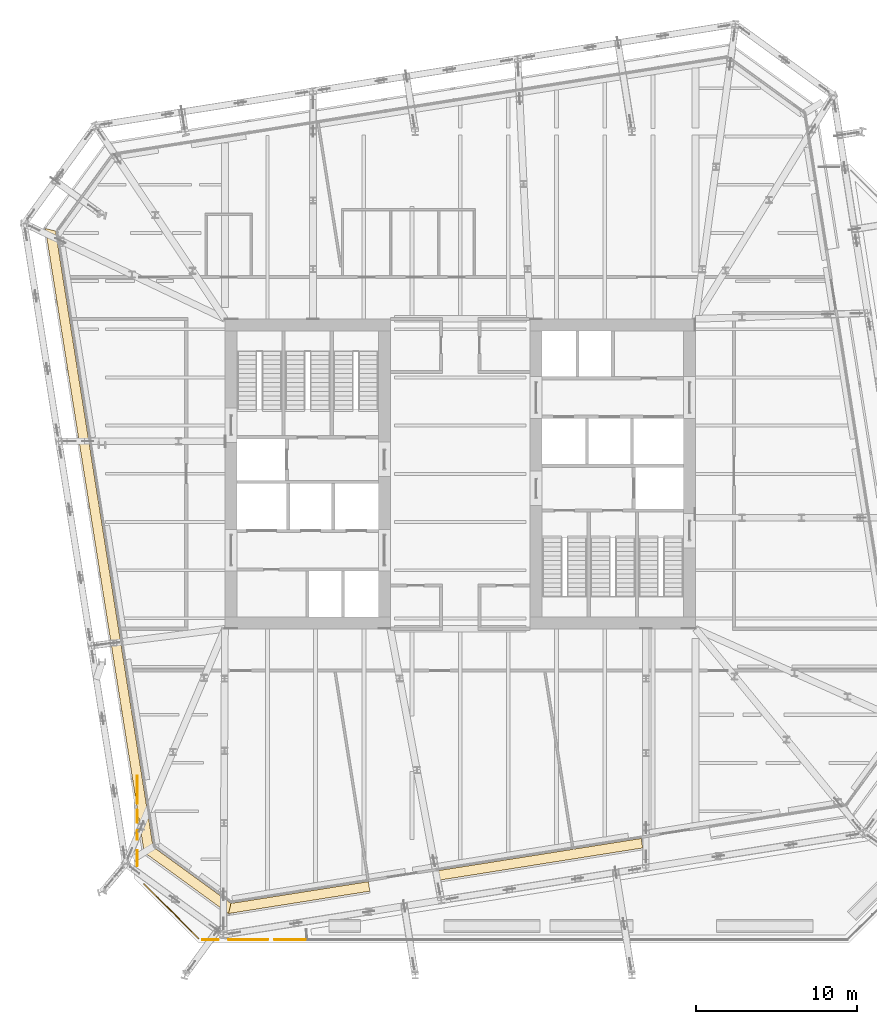
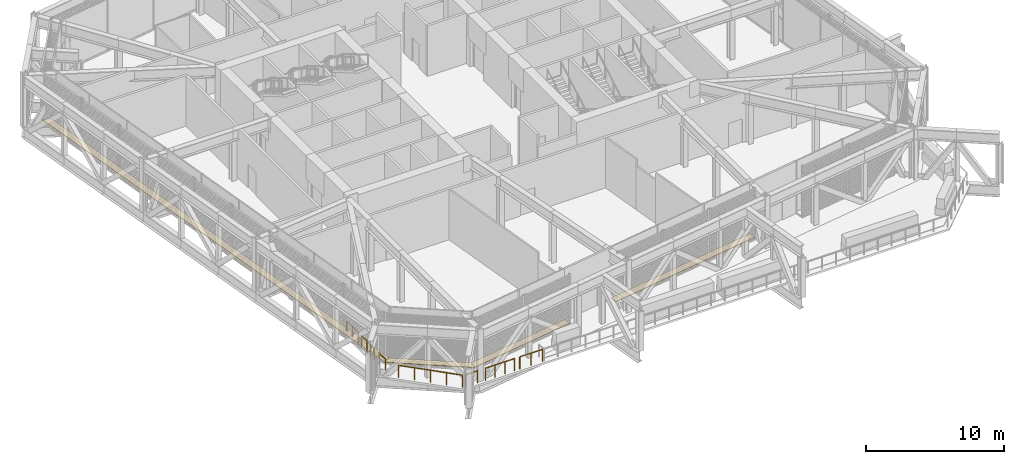
# One storey, part 29 of 32: 8 railings, 4 coverings.
"""IFC4 building model written with IfcOpenShell, lengths in metres."""

from ifc_helpers import new_model, si_unit, direction, frame, origin, origin_2d, place, context, subcontext, project, spatial, polyline, circle, outline, extrude, material, layer, layer_set, type_object, element, save


model = new_model("IFC4")

# Units and contexts
model_context = context("Model", 3, precision=1e-05, world=origin(), true_north=direction((0.0, 1.0)))
body_context = subcontext(model_context, "Body", "Model", "MODEL_VIEW")
ifc_project = project(units=[si_unit("LENGTHUNIT", "METRE"), si_unit("AREAUNIT", "SQUARE_METRE"), si_unit("VOLUMEUNIT", "CUBIC_METRE"), si_unit("PLANEANGLEUNIT", "RADIAN"), si_unit("MASSUNIT", "GRAM", prefix="KILO")], contexts=[model_context])

# Site, building, storey
site_placement = place(None, origin())
site = spatial("IfcSite", under=ifc_project, at=site_placement, CompositionType="ELEMENT")
building_placement = place(site_placement, origin())
building = spatial("IfcBuilding", under=site, at=building_placement, Name="Millrace Tower", CompositionType="ELEMENT")
storey_placement = place(building_placement, frame((0.0, 0.0, 124.89990234375)))
storey = spatial("IfcBuildingStorey", under=building, at=storey_placement, Name="L27", CompositionType="ELEMENT", Elevation=124.89990234375)

# Coverings
ifc_material_1 = material(Name="Steel ASTM A36", Category="steel")
ifc_layer = layer(ifc_material_1, 0.050048828125)
ifc_layer_set = layer_set([ifc_layer], Name="Steel ASTM A36")
covering_type = type_object("IfcCoveringType", Name="CAVITY CATWALK steel grating", PredefinedType="FLOORING", material=ifc_layer_set)
placement = place(storey_placement, frame((0.0, 0.0, 0.10009765625)))
element("IfcCovering", 1, at=placement, inside=storey, type_object=covering_type, Name="Cavity catwalk grating C-F01 L27 1", PredefinedType="FLOORING", context=body_context, shape_type="SweptSolid", body=[
    extrude(outline(polyline([(-19.67578125, -23.562255859375), (-14.425048828125, -27.376953125), (-14.2734375, -26.74560546875), (-19.1220703125, -23.222900390625), (-19.67578125, -23.562255859375)])), origin(), (0.0, 0.0, 1.0), 0.050048828125),
])
element("IfcCovering", 2, at=placement, inside=storey, type_object=covering_type, Name="Cavity catwalk grating C-F02 L27 1", PredefinedType="FLOORING", context=body_context, shape_type="SweptSolid", body=[
    extrude(outline(polyline([(-14.425048828125, -27.376953125), (-5.6240234375, -25.983154296875), (-5.718017578125, -25.390380859375), (-14.2734375, -26.74560546875), (-14.425048828125, -27.376953125)])), origin(), (0.0, 0.0, 1.0), 0.050048828125),
])
element("IfcCovering", 3, at=placement, inside=storey, type_object=covering_type, Name="Cavity catwalk grating C-F02 L27 2", PredefinedType="FLOORING", context=body_context, shape_type="SweptSolid", body=[
    extrude(outline(polyline([(-1.376953125, -25.310546875), (11.364013671875, -23.29248046875), (11.270263671875, -22.69970703125), (-1.470947265625, -24.7177734375), (-1.376953125, -25.310546875)])), origin(), (0.0, 0.0, 1.0), 0.050048828125),
])
element("IfcCovering", 4, at=placement, inside=storey, type_object=covering_type, Name="Cavity catwalk grating C-F08 L27 1", PredefinedType="FLOORING", context=body_context, shape_type="SweptSolid", body=[
    extrude(outline(polyline([(-25.8271484375, 15.275146484375), (-19.67578125, -23.562255859375), (-19.1220703125, -23.222900390625), (-25.195556640625, 15.12353515625), (-25.8271484375, 15.275146484375)])), origin(), (0.0, 0.0, 1.0), 0.050048828125),
])

# Railings
ifc_material_2 = material(Name="Stainless steel ASTM A240 type 316", Category="steel")
railing_type = type_object("IfcRailingType", Name="Terrace guard 1100", PredefinedType="GUARDRAIL", material=ifc_material_2)
railing_1_placement = place(storey_placement, frame((-20.10009765625, -24.396484375, 0.0)))
element("IfcRailing", 5, at=railing_1_placement, inside=storey, type_object=railing_type, Name="Terrace guard L26 edge 1.1", PredefinedType="GUARDRAIL", context=body_context, shape_type="SweptSolid", body=[
    extrude(circle(Radius=0.02392578125, at=origin_2d()), frame((0.0, 0.0, 1.076171875), z_axis=(0.0, 1.0, 0.0), x_axis=(-1.0, 0.0, 0.0)), (0.0, 0.0, 1.0), 0.9541015625),
    extrude(circle(Radius=0.02099609375, at=origin_2d()), origin(), (0.0, 0.0, 1.0), 1.052001953125),
    extrude(circle(Radius=0.02099609375, at=origin_2d()), frame((0.0, 0.9541015625, 0.0)), (0.0, 0.0, 1.0), 1.052001953125),
])
railing_2_placement = place(storey_placement, frame((-20.10009765625, -22.774658203125, 0.0)))
element("IfcRailing", 6, at=railing_2_placement, inside=storey, type_object=railing_type, Name="Terrace guard L26 edge 1.2", PredefinedType="GUARDRAIL", context=body_context, shape_type="SweptSolid", body=[
    extrude(circle(Radius=0.02392578125, at=origin_2d()), frame((0.0, 0.0, 1.076171875), z_axis=(0.0, 1.0, 0.0), x_axis=(-1.0, 0.0, 0.0)), (0.0, 0.0, 1.0), 0.5576171875),
    extrude(circle(Radius=0.02099609375, at=origin_2d()), origin(), (0.0, 0.0, 1.0), 1.052001953125),
    extrude(circle(Radius=0.02099609375, at=origin_2d()), frame((0.0, 0.5576171875, 0.0)), (0.0, 0.0, 1.0), 1.052001953125),
])
railing_3_placement = place(storey_placement, frame((-20.10009765625, -21.715576171875, 0.0)))
element("IfcRailing", 7, at=railing_3_placement, inside=storey, type_object=railing_type, Name="Terrace guard L26 edge 1.3", PredefinedType="GUARDRAIL", context=body_context, shape_type="SweptSolid", body=[
    extrude(circle(Radius=0.02392578125, at=origin_2d()), frame((0.0, 0.0, 1.076171875), z_axis=(0.0, 1.0, 0.0), x_axis=(-1.0, 0.0, 0.0)), (0.0, 0.0, 1.0), 0.76708984375),
    extrude(circle(Radius=0.02099609375, at=origin_2d()), origin(), (0.0, 0.0, 1.0), 1.052001953125),
    extrude(circle(Radius=0.02099609375, at=origin_2d()), frame((0.0, 0.76708984375, 0.0)), (0.0, 0.0, 1.0), 1.052001953125),
])
railing_4_placement = place(storey_placement, frame((-20.10009765625, -20.516357421875, 0.0)))
element("IfcRailing", 8, at=railing_4_placement, inside=storey, type_object=railing_type, Name="Terrace guard L26 edge 1.4", PredefinedType="GUARDRAIL", context=body_context, shape_type="SweptSolid", body=[
    extrude(circle(Radius=0.02392578125, at=origin_2d()), frame((0.0, 0.0, 1.076171875), z_axis=(0.0, 1.0, 0.0), x_axis=(-1.0, 0.0, 0.0)), (0.0, 0.0, 1.0), 1.709716796875),
    extrude(circle(Radius=0.02099609375, at=origin_2d()), origin(), (0.0, 0.0, 1.0), 1.052001953125),
    extrude(circle(Radius=0.02099609375, at=origin_2d()), frame((0.0, 0.85498046875, 0.0)), (0.0, 0.0, 1.0), 1.052001953125),
    extrude(circle(Radius=0.02099609375, at=origin_2d()), frame((0.0, 1.709716796875, 0.0)), (0.0, 0.0, 1.0), 1.052001953125),
])
railing_5_placement = place(storey_placement, frame((-16.291015625, -28.92626953125, 0.0)))
element("IfcRailing", 9, at=railing_5_placement, inside=storey, type_object=railing_type, Name="Terrace guard L26 edge 1.5", PredefinedType="GUARDRAIL", context=body_context, shape_type="SweptSolid", body=[
    extrude(circle(Radius=0.02392578125, at=origin_2d()), frame((0.0, 0.0, 1.076171875), z_axis=(-0.707081320505, 0.707132240951, 0.0), x_axis=(-0.707132240951, -0.707081320505, 0.0)), (0.0, 0.0, 1.0), 4.79443359375),
    extrude(circle(Radius=0.02099609375, at=origin_2d()), origin(), (0.0, 0.0, 1.0), 1.052001953125),
    extrude(circle(Radius=0.02099609375, at=origin_2d()), frame((-0.84765625, 0.84765625, 0.0)), (0.0, 0.0, 1.0), 1.052001953125),
    extrude(circle(Radius=0.02099609375, at=origin_2d()), frame((-1.695068359375, 1.6953125, 0.0)), (0.0, 0.0, 1.0), 1.052001953125),
    extrude(circle(Radius=0.02099609375, at=origin_2d()), frame((-2.54248046875, 2.542724609375, 0.0)), (0.0, 0.0, 1.0), 1.052001953125),
    extrude(circle(Radius=0.02099609375, at=origin_2d()), frame((-3.39013671875, 3.390380859375, 0.0)), (0.0, 0.0, 1.0), 1.052001953125),
])
railing_6_placement = place(storey_placement, frame((-15.06884765625, -29.0, 0.0)))
element("IfcRailing", 10, at=railing_6_placement, inside=storey, type_object=railing_type, Name="Terrace guard L26 edge 1.6", PredefinedType="GUARDRAIL", context=body_context, shape_type="SweptSolid", body=[
    extrude(circle(Radius=0.02392578125, at=origin_2d()), frame((0.0, 0.0, 1.076171875), z_axis=(-1.0, 0.0, 0.0), x_axis=(0.0, -1.0, 0.0)), (0.0, 0.0, 1.0), 0.982666015625),
    extrude(circle(Radius=0.02099609375, at=origin_2d()), origin(), (0.0, 0.0, 1.0), 1.052001953125),
    extrude(circle(Radius=0.02099609375, at=origin_2d()), frame((-0.982666015625, 0.0, 0.0)), (0.0, 0.0, 1.0), 1.052001953125),
])
railing_7_placement = place(storey_placement, frame((-11.983642578125, -29.0, 0.0)))
element("IfcRailing", 11, at=railing_7_placement, inside=storey, type_object=railing_type, Name="Terrace guard L26 edge 1.7", PredefinedType="GUARDRAIL", context=body_context, shape_type="SweptSolid", body=[
    extrude(circle(Radius=0.02392578125, at=origin_2d()), frame((0.0, 0.0, 1.076171875), z_axis=(-1.0, 0.0, 0.0), x_axis=(0.0, -1.0, 0.0)), (0.0, 0.0, 1.0), 2.42919921875),
    extrude(circle(Radius=0.02099609375, at=origin_2d()), origin(), (0.0, 0.0, 1.0), 1.052001953125),
    extrude(circle(Radius=0.02099609375, at=origin_2d()), frame((-0.809814453125, 0.0, 0.0)), (0.0, 0.0, 1.0), 1.052001953125),
    extrude(circle(Radius=0.02099609375, at=origin_2d()), frame((-1.619384765625, 0.0, 0.0)), (0.0, 0.0, 1.0), 1.052001953125),
    extrude(circle(Radius=0.02099609375, at=origin_2d()), frame((-2.42919921875, 0.0, 0.0)), (0.0, 0.0, 1.0), 1.052001953125),
])
railing_8_placement = place(storey_placement, frame((-9.637939453125, -29.0, 0.0)))
element("IfcRailing", 12, at=railing_8_placement, inside=storey, type_object=railing_type, Name="Terrace guard L26 edge 1.8", PredefinedType="GUARDRAIL", context=body_context, shape_type="SweptSolid", body=[
    extrude(circle(Radius=0.02392578125, at=origin_2d()), frame((0.0, 0.0, 1.076171875), z_axis=(-1.0, 0.0, 0.0), x_axis=(0.0, -1.0, 0.0)), (0.0, 0.0, 1.0), 1.91357421875),
    extrude(circle(Radius=0.02099609375, at=origin_2d()), origin(), (0.0, 0.0, 1.0), 1.052001953125),
    extrude(circle(Radius=0.02099609375, at=origin_2d()), frame((-0.956787109375, 0.0, 0.0)), (0.0, 0.0, 1.0), 1.052001953125),
    extrude(circle(Radius=0.02099609375, at=origin_2d()), frame((-1.91357421875, 0.0, 0.0)), (0.0, 0.0, 1.0), 1.052001953125),
])

save(model, "model.ifc")
